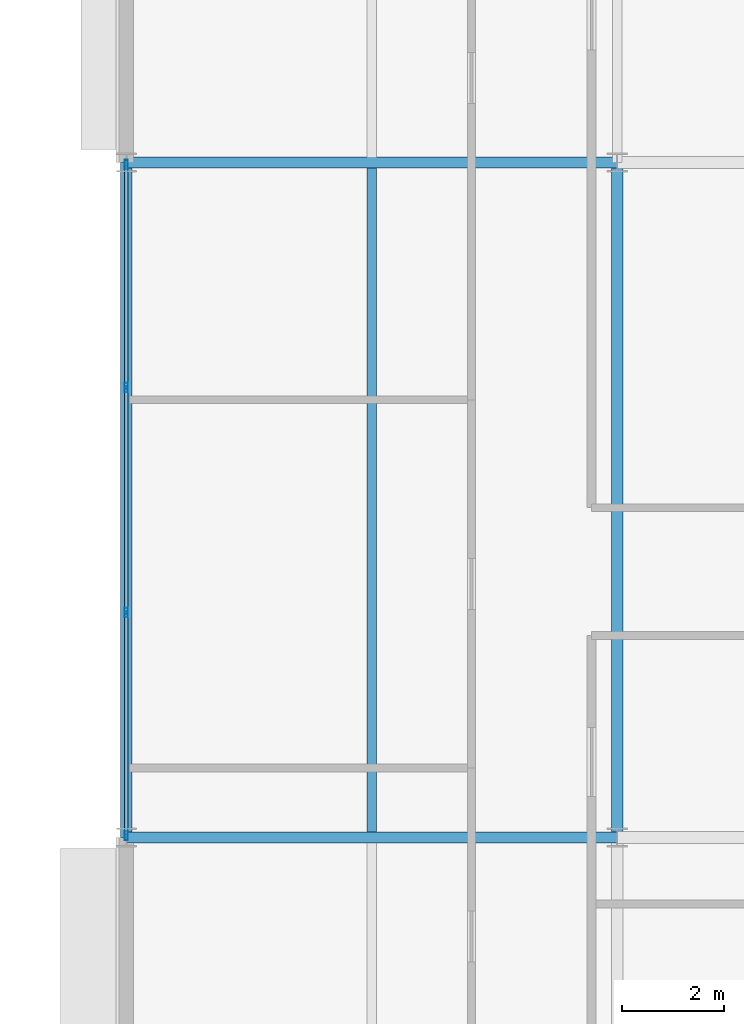
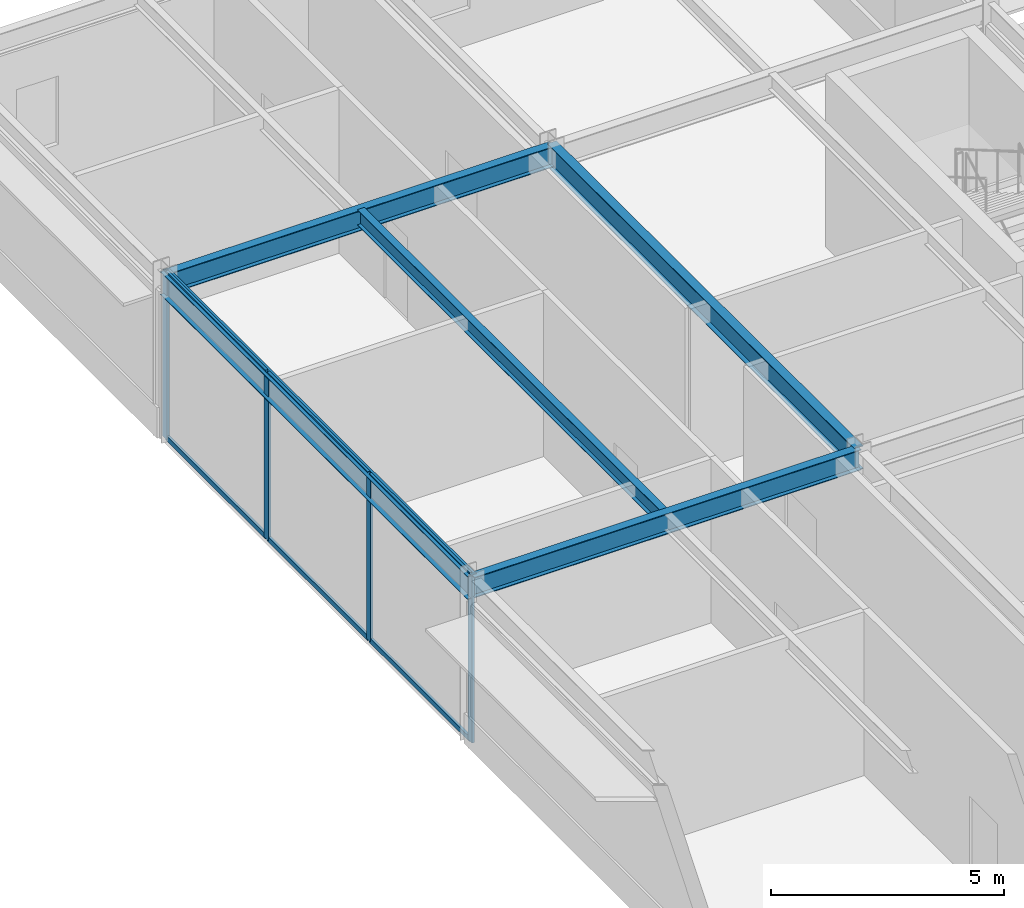
# One storey, part 75 of 116: 10 members, 5 beams, 1 element without a shape of its own.
"""IFC4 building model written with IfcOpenShell, lengths in metres."""

from ifc_helpers import new_model, si_unit, direction, frame, origin, origin_2d, place, context, subcontext, project, spatial, hollow_rectangle, i_section, extrude, material, material_profile, profile_set, type_object, element, aggregate, save


model = new_model("IFC4")

# Units and contexts
model_context = context("Model", 3, precision=1e-05, world=origin(), true_north=direction((0.0, 1.0)))
body_context = subcontext(model_context, "Body", "Model", "MODEL_VIEW")
ifc_project = project(units=[si_unit("LENGTHUNIT", "METRE"), si_unit("AREAUNIT", "SQUARE_METRE"), si_unit("VOLUMEUNIT", "CUBIC_METRE"), si_unit("PLANEANGLEUNIT", "RADIAN"), si_unit("MASSUNIT", "GRAM", prefix="KILO")], contexts=[model_context])

# Site, building, storey
site_placement = place(None, origin())
site = spatial("IfcSite", under=ifc_project, at=site_placement, CompositionType="ELEMENT")
building_placement = place(site_placement, origin())
building = spatial("IfcBuilding", under=site, at=building_placement, Name="Almandine Court Research Institute", CompositionType="ELEMENT")
storey_placement = place(building_placement, frame((0.0, 0.0, 14.35009765625)))
storey = spatial("IfcBuildingStorey", under=building, at=storey_placement, Name="L03", CompositionType="ELEMENT", Elevation=14.35009765625)

# Beams
ifc_material_1 = material(Name="Steel ASTM A992 Grade 50", Category="steel")
ifc_material_profile_1 = material_profile(ifc_material_1, i_section(OverallWidth=0.178955078125, OverallDepth=0.409912109375, WebThickness=0.009033203125, FlangeThickness=0.013916015625, at=origin_2d()), Name="W410x67")
ifc_profile_set_1 = profile_set([ifc_material_profile_1], Name="Steel ASTM A992 Grade 50")
beam_type_1 = type_object("IfcBeamType", Name="Beam-B-02", PredefinedType="JOIST", material=ifc_profile_set_1)
beam_placement = place(storey_placement, frame((158.39990234375, 70.903076171875, 4.164794921875), z_axis=(0.0, 1.0, 0.0), x_axis=(-1.0, 0.0, 0.0)))
element("IfcBeam", 1, at=beam_placement, inside=storey, type_object=beam_type_1, Name="L03 V4 Composite Secondary Beam", PredefinedType="JOIST", context=body_context, shape_type="SweptSolid", body=[
    extrude(i_section(OverallWidth=0.178955078125, OverallDepth=0.409912109375, WebThickness=0.009033203125, FlangeThickness=0.013916015625, at=origin_2d()), origin(), (0.0, 0.0, 1.0), 12.993896484375),
])
ifc_material_profile_2 = material_profile(ifc_material_1, i_section(OverallWidth=0.22802734375, OverallDepth=0.60791015625, WebThickness=0.010986328125, FlangeThickness=0.01708984375, at=origin_2d()), Name="W610x113")
ifc_profile_set_2 = profile_set([ifc_material_profile_2], Name="Steel ASTM A992 Grade 50")
beam_type_2 = type_object("IfcBeamType", Name="Beam-G-03", PredefinedType="BEAM", material=ifc_profile_set_2)
for number, where, z_axis, x_axis, name in (
    (2, (153.60009765625, 70.800048828125, 4.06591796875), (0.0, 1.0, 0.0), (-1.0, 0.0, 0.0), "L03 V4 Primary Y Girder"),
    (3, (163.199951171875, 70.800048828125, 4.06591796875), (0.0, 1.0, 0.0), (-1.0, 0.0, 0.0), "L03 V4 Primary Y Girder"),
):
    element("IfcBeam", number, at=place(storey_placement, frame(where, z_axis=z_axis, x_axis=x_axis)), inside=storey, type_object=beam_type_2, Name=name, PredefinedType="BEAM", context=body_context, shape_type="SweptSolid", body=[
        extrude(i_section(OverallWidth=0.22802734375, OverallDepth=0.60791015625, WebThickness=0.010986328125, FlangeThickness=0.01708984375, at=origin_2d()), origin(), (0.0, 0.0, 1.0), 13.199951171875),
    ])
ifc_material_profile_3 = material_profile(ifc_material_1, i_section(OverallWidth=0.2109375, OverallDepth=0.5390625, WebThickness=0.011962890625, FlangeThickness=0.01904296875, at=origin_2d()), Name="W530x109")
ifc_profile_set_3 = profile_set([ifc_material_profile_3], Name="Steel ASTM A992 Grade 50")
beam_type_3 = type_object("IfcBeamType", Name="Beam-G-04", PredefinedType="BEAM", material=ifc_profile_set_3)
for number, where, z_axis, x_axis, name in (
    (4, (153.60009765625, 70.800048828125, 4.099853515625), (1.0, 0.0, 0.0), (0.0, 1.0, 0.0), "L03 V4 Primary X Girder"),
    (5, (153.60009765625, 84.0, 4.053955078125), (1.0, 0.0, 0.0), (0.0, 1.0, 0.0), "L03 V4 Primary X Girder"),
):
    element("IfcBeam", number, at=place(storey_placement, frame(where, z_axis=z_axis, x_axis=x_axis)), inside=storey, type_object=beam_type_3, Name=name, PredefinedType="BEAM", context=body_context, shape_type="SweptSolid", body=[
        extrude(i_section(OverallWidth=0.2109375, OverallDepth=0.5390625, WebThickness=0.011962890625, FlangeThickness=0.01904296875, at=origin_2d()), origin(), (0.0, 0.0, 1.0), 9.599853515625),
    ])

# Curtain wall, members
ifc_material_2 = material(Name="Unitised Curtain Wall Framing and Solar Glazing", Category="glass")
curtain_wall_type = type_object("IfcCurtainWallType", Name="CW-CWJ-15", PredefinedType="USERDEFINED", material=ifc_material_2)
curtain_wall_placement = place(storey_placement, origin())
curtain_wall = element("IfcCurtainWall", 6, at=curtain_wall_placement, inside=storey, type_object=curtain_wall_type, Name="L03 Wet Lab West Courtyard Jali Curtain Wall 7", ObjectType="SOLAR JALI SCREEN", PredefinedType="USERDEFINED")
ifc_material_3 = material(Name="Anodised Aluminium AW-6063-T6", Category="aluminium")
ifc_material_profile_4 = material_profile(ifc_material_3, hollow_rectangle(XDim=0.06494140625, YDim=0.179931640625, WallThickness=0.00390625, at=origin_2d()), Name="ALU RHS 65x180x4")
ifc_profile_set_4 = profile_set([ifc_material_profile_4], Name="Anodised Aluminium AW-6063-T6")
member_type_1 = type_object("IfcMemberType", Name="CWMul-65x180", PredefinedType="MULLION", material=ifc_profile_set_4)
member_1_placement = place(storey_placement, frame((153.60009765625, 70.83642578125, 0.0), z_axis=(0.0, 0.0, 1.0), x_axis=(-1.0, 0.0, 0.0)))
member_1 = element("IfcMember", 7, at=member_1_placement, type_object=member_type_1, Name="CWJ-15 mullion 1", PredefinedType="MULLION", context=body_context, shape_type="SweptSolid", body=[
    extrude(hollow_rectangle(XDim=0.06494140625, YDim=0.179931640625, WallThickness=0.00390625, at=origin_2d()), origin(), (0.0, 0.0, 1.0), 4.369873046875),
])
member_2_placement = place(storey_placement, frame((153.60009765625, 75.201416015625, 0.0), z_axis=(0.0, 0.0, 1.0), x_axis=(-1.0, 0.0, 0.0)))
member_2 = element("IfcMember", 8, at=member_2_placement, type_object=member_type_1, Name="CWJ-15 mullion 2", PredefinedType="MULLION", context=body_context, shape_type="SweptSolid", body=[
    extrude(hollow_rectangle(XDim=0.06494140625, YDim=0.179931640625, WallThickness=0.00390625, at=origin_2d()), origin(), (0.0, 0.0, 1.0), 4.369873046875),
])
member_3_placement = place(storey_placement, frame((153.60009765625, 79.5986328125, 0.0), z_axis=(0.0, 0.0, 1.0), x_axis=(-1.0, 0.0, 0.0)))
member_3 = element("IfcMember", 9, at=member_3_placement, type_object=member_type_1, Name="CWJ-15 mullion 3", PredefinedType="MULLION", context=body_context, shape_type="SweptSolid", body=[
    extrude(hollow_rectangle(XDim=0.06494140625, YDim=0.179931640625, WallThickness=0.00390625, at=origin_2d()), origin(), (0.0, 0.0, 1.0), 4.369873046875),
])
member_4_placement = place(storey_placement, frame((153.60009765625, 83.96337890625, 0.0), z_axis=(0.0, 0.0, 1.0), x_axis=(-1.0, 0.0, 0.0)))
member_4 = element("IfcMember", 10, at=member_4_placement, type_object=member_type_1, Name="CWJ-15 mullion 4", PredefinedType="MULLION", context=body_context, shape_type="SweptSolid", body=[
    extrude(hollow_rectangle(XDim=0.06494140625, YDim=0.179931640625, WallThickness=0.00390625, at=origin_2d()), origin(), (0.0, 0.0, 1.0), 4.369873046875),
])
ifc_material_profile_5 = material_profile(ifc_material_3, hollow_rectangle(XDim=0.06494140625, YDim=0.1298828125, WallThickness=0.00390625, at=origin_2d()), Name="ALU RHS 65x130x4")
ifc_profile_set_5 = profile_set([ifc_material_profile_5], Name="Anodised Aluminium AW-6063-T6")
member_type_2 = type_object("IfcMemberType", Name="CWTrn-65x130", PredefinedType="NOTDEFINED", material=ifc_profile_set_5)
member_5_placement = place(storey_placement, frame((153.60009765625, 70.868896484375, 0.032470703125), z_axis=(0.0, 1.0, 0.0), x_axis=(-1.0, 0.0, 0.0)))
member_5 = element("IfcMember", 11, at=member_5_placement, type_object=member_type_2, Name="CWJ-15 transom 1.1", ObjectType="TRANSOM", PredefinedType="USERDEFINED", context=body_context, shape_type="SweptSolid", body=[
    extrude(hollow_rectangle(XDim=0.06494140625, YDim=0.1298828125, WallThickness=0.00390625, at=origin_2d()), origin(), (0.0, 0.0, 1.0), 4.300048828125),
])
member_6_placement = place(storey_placement, frame((153.60009765625, 70.868896484375, 4.33740234375), z_axis=(0.0, 1.0, 0.0), x_axis=(-1.0, 0.0, 0.0)))
member_6 = element("IfcMember", 12, at=member_6_placement, type_object=member_type_2, Name="CWJ-15 transom 1.2", ObjectType="TRANSOM", PredefinedType="USERDEFINED", context=body_context, shape_type="SweptSolid", body=[
    extrude(hollow_rectangle(XDim=0.06494140625, YDim=0.1298828125, WallThickness=0.00390625, at=origin_2d()), origin(), (0.0, 0.0, 1.0), 4.300048828125),
])
member_7_placement = place(storey_placement, frame((153.60009765625, 75.23388671875, 0.032470703125), z_axis=(0.0, 1.0, 0.0), x_axis=(-1.0, 0.0, 0.0)))
member_7 = element("IfcMember", 13, at=member_7_placement, type_object=member_type_2, Name="CWJ-15 transom 2.1", ObjectType="TRANSOM", PredefinedType="USERDEFINED", context=body_context, shape_type="SweptSolid", body=[
    extrude(hollow_rectangle(XDim=0.06494140625, YDim=0.1298828125, WallThickness=0.00390625, at=origin_2d()), origin(), (0.0, 0.0, 1.0), 4.332275390625),
])
member_8_placement = place(storey_placement, frame((153.60009765625, 75.23388671875, 4.33740234375), z_axis=(0.0, 1.0, 0.0), x_axis=(-1.0, 0.0, 0.0)))
member_8 = element("IfcMember", 14, at=member_8_placement, type_object=member_type_2, Name="CWJ-15 transom 2.2", ObjectType="TRANSOM", PredefinedType="USERDEFINED", context=body_context, shape_type="SweptSolid", body=[
    extrude(hollow_rectangle(XDim=0.06494140625, YDim=0.1298828125, WallThickness=0.00390625, at=origin_2d()), origin(), (0.0, 0.0, 1.0), 4.332275390625),
])
member_9_placement = place(storey_placement, frame((153.60009765625, 79.631103515625, 0.032470703125), z_axis=(0.0, 1.0, 0.0), x_axis=(-1.0, 0.0, 0.0)))
member_9 = element("IfcMember", 15, at=member_9_placement, type_object=member_type_2, Name="CWJ-15 transom 3.1", ObjectType="TRANSOM", PredefinedType="USERDEFINED", context=body_context, shape_type="SweptSolid", body=[
    extrude(hollow_rectangle(XDim=0.06494140625, YDim=0.1298828125, WallThickness=0.00390625, at=origin_2d()), origin(), (0.0, 0.0, 1.0), 4.2998046875),
])
member_10_placement = place(storey_placement, frame((153.60009765625, 79.631103515625, 4.33740234375), z_axis=(0.0, 1.0, 0.0), x_axis=(-1.0, 0.0, 0.0)))
member_10 = element("IfcMember", 16, at=member_10_placement, type_object=member_type_2, Name="CWJ-15 transom 3.2", ObjectType="TRANSOM", PredefinedType="USERDEFINED", context=body_context, shape_type="SweptSolid", body=[
    extrude(hollow_rectangle(XDim=0.06494140625, YDim=0.1298828125, WallThickness=0.00390625, at=origin_2d()), origin(), (0.0, 0.0, 1.0), 4.2998046875),
])
aggregate(curtain_wall, [member_1, member_2, member_3, member_4, member_5, member_6, member_7, member_8, member_9, member_10])

save(model, "model.ifc")
